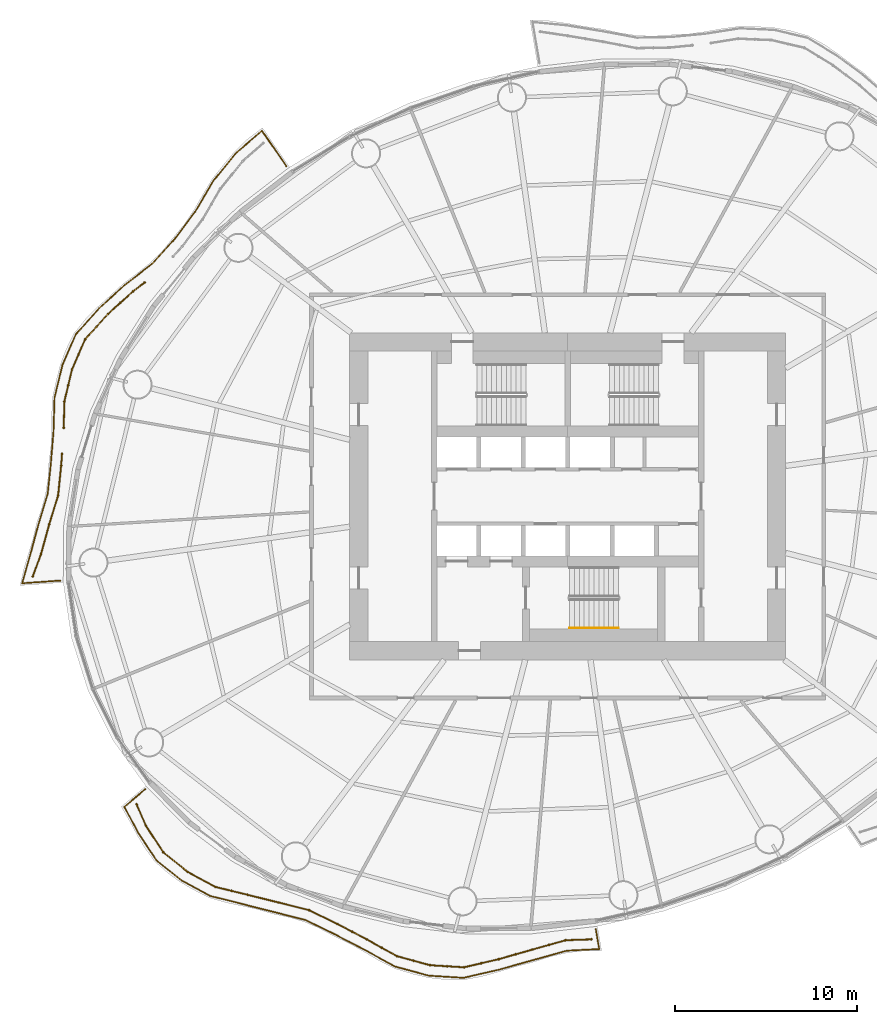
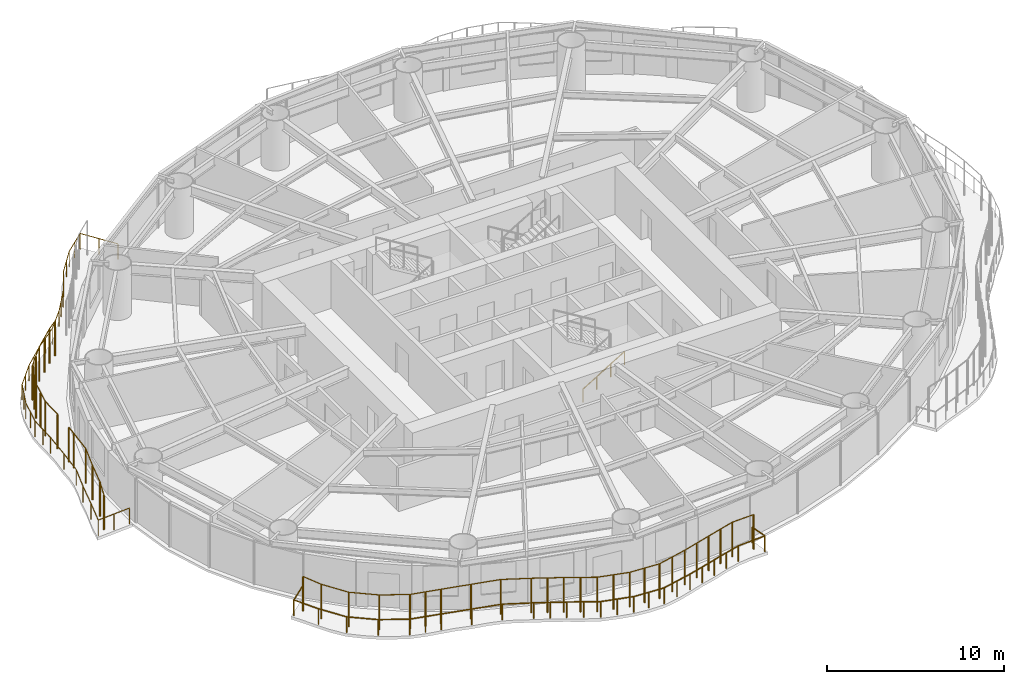
# One storey, part 11 of 15: 6 railings.
"""IFC4 building model written with IfcOpenShell, lengths in metres."""

import ifcopenshell
import ifcopenshell.guid

model = None  # the IFC model being written
_history = None  # IfcOwnerHistory: only IFC2X3 demands one
_inside = {}  # id of a spatial element -> (the spatial element, [elements in it])
_under = {}  # id of a project, library or spatial element -> (it, [spatial elements below it])
_declared = {}  # id of a project -> (the project, [libraries it declares])
_typed = {}  # id of a type object -> (the type object, [elements of that type])
_made_of = {}  # id of a material, layer set ... -> (it, [elements and type objects made of it])


def new_model(schema):
    """Start an empty IFC model of exactly this schema.

    Asked for "IFC4X3", IfcOpenShell would pick the latest addendum, in which some entities
    have other attributes; the version numbers below select the first issue.
    IFC2X3 requires an IfcOwnerHistory on every rooted entity: one is made here for all.
    """
    global model, _history
    if schema == "IFC4X3":
        model = ifcopenshell.file(schema_version=(4, 3, 0, 0))
    else:
        model = ifcopenshell.file(schema=schema)
    _inside.clear()
    _under.clear()
    _declared.clear()
    _typed.clear()
    _made_of.clear()
    _history = None
    if model.schema == "IFC2X3":
        org = make("IfcOrganization", Name="unknown")
        user = make(
            "IfcPersonAndOrganization",
            ThePerson=make("IfcPerson", FamilyName="unknown"),
            TheOrganization=org,
        )
        app = make(
            "IfcApplication",
            ApplicationDeveloper=org,
            Version="unknown",
            ApplicationFullName="unknown",
            ApplicationIdentifier="unknown",
        )
        _history = make(
            "IfcOwnerHistory",
            OwningUser=user,
            OwningApplication=app,
            ChangeAction="ADDED",
            CreationDate=0,
        )
    return model


def make(cls, **values):
    """One entity of the class cls with the attributes given. An attribute that is None is left unset."""
    return model.create_entity(
        cls, **{name: value for name, value in values.items() if value is not None}
    )


def rooted(cls, **values):
    """An entity with a GlobalId (a new one), such as an element, a storey or a relation."""
    return make(cls, GlobalId=ifcopenshell.guid.new(), OwnerHistory=_history, **values)


def si_unit(unit_type, name, prefix=None):
    """IfcSIUnit, for example si_unit("LENGTHUNIT", "METRE", prefix="MILLI")."""
    return make("IfcSIUnit", UnitType=unit_type, Prefix=prefix, Name=name)


def assignment(units):
    """IfcUnitAssignment: the units of a project."""
    return None if units is None else make("IfcUnitAssignment", Units=units)


def point(xyz):
    """IfcCartesianPoint."""
    return None if xyz is None else make("IfcCartesianPoint", Coordinates=xyz)


def direction(xyz):
    """IfcDirection."""
    return None if xyz is None else make("IfcDirection", DirectionRatios=xyz)


def frame(location, z_axis=None, x_axis=None):
    """IfcAxis2Placement3D, a coordinate frame: its origin and axes. An axis left out is left unset."""
    return make(
        "IfcAxis2Placement3D",
        Location=point(location),
        Axis=direction(z_axis),
        RefDirection=direction(x_axis),
    )


def frame_2d(location, x_axis=None):
    """IfcAxis2Placement2D, a coordinate frame in the plane: its origin and x axis."""
    return make(
        "IfcAxis2Placement2D", Location=point(location), RefDirection=direction(x_axis)
    )


def origin():
    """The frame at (0, 0, 0) with its axes left unset."""
    return frame((0.0, 0.0, 0.0))


def origin_2d():
    """The frame at (0, 0) in the plane with its x axis left unset."""
    return frame_2d((0.0, 0.0))


def place(relative_to, where):
    """IfcLocalPlacement: puts the frame where relative to a parent placement (None: the world)."""
    return make(
        "IfcLocalPlacement", PlacementRelTo=relative_to, RelativePlacement=where
    )


def context(
    kind, dimensions, precision=None, world=None, true_north=None, identifier=None
):
    """IfcGeometricRepresentationContext, for example the 3D "Model" context."""
    return make(
        "IfcGeometricRepresentationContext",
        ContextIdentifier=identifier,
        ContextType=kind,
        CoordinateSpaceDimension=dimensions,
        Precision=precision,
        WorldCoordinateSystem=world,
        TrueNorth=true_north,
    )


def subcontext(parent, identifier, kind, view, scale=None):
    """IfcGeometricRepresentationSubContext, for example "Body" below "Model"."""
    return make(
        "IfcGeometricRepresentationSubContext",
        ContextIdentifier=identifier,
        ContextType=kind,
        ParentContext=parent,
        TargetScale=scale,
        TargetView=view,
    )


def project(units=None, contexts=None):
    """IfcProject with its units and contexts."""
    return rooted(
        "IfcProject",
        Name="project",
        RepresentationContexts=contexts,
        UnitsInContext=assignment(units),
    )


def spatial(cls, under=None, at=None, **own):
    """A site, building, storey or space (cls), placed at a placement, below another one or the project."""
    s = rooted(cls, ObjectPlacement=at, **own)
    if under is not None:
        _under.setdefault(under.id(), (under, []))[1].append(s)
    return s


def profile(cls, at=None, kind="AREA", **sizes):
    """A parametric profile (cls). Its sizes go by their IFC names, for example OverallWidth=200.0."""
    return make(cls, ProfileType=kind, Position=at, **sizes)


def circle(**sizes):
    """IfcCircleProfileDef."""
    return profile("IfcCircleProfileDef", **sizes)


def extrude(swept, where, along, depth):
    """IfcExtrudedAreaSolid: the profile swept, set in the frame where, extruded along a direction by depth."""
    return make(
        "IfcExtrudedAreaSolid",
        SweptArea=swept,
        Position=where,
        ExtrudedDirection=direction(along),
        Depth=depth,
    )


def shape(context_of_items, identifier, shape_type, items):
    """IfcShapeRepresentation: the items that make up one representation, for example the "Body"."""
    return make(
        "IfcShapeRepresentation",
        ContextOfItems=context_of_items,
        RepresentationIdentifier=identifier,
        RepresentationType=shape_type,
        Items=items,
    )


def material(Name=None, Category=None):
    """IfcMaterial."""
    return make("IfcMaterial", Name=Name, Category=Category)


def made_of(thing, what):
    """Note that an element or type object is made of a material, layer set ...; save() writes the relation."""
    if what is not None:
        _made_of.setdefault(what.id(), (what, []))[1].append(thing)
    return thing


def type_object(cls, material=None, **own):
    """A type object (cls), such as IfcWallType, which elements share."""
    return made_of(rooted(cls, **own), material)


def element(
    cls,
    number,
    at=None,
    inside=None,
    cuts=None,
    type_object=None,
    material=None,
    context=None,
    identifier="Body",
    shape_type=None,
    held_by="IfcProductDefinitionShape",
    body=None,
    shapes=None,
    **own,
):
    """One element of the class cls, such as IfcWall. Its Tag is "e" and its number.

    at: its placement. inside: the storey or other place that contains it. cuts: it is an
    opening in that element (IfcRelVoidsElement). A single representation is given by context,
    identifier, shape_type and body (its items); several are given by shapes. held_by: the class
    of the entity that holds the representations. save() writes the other relations.
    """
    e = rooted(cls, Tag="e%d" % number, ObjectPlacement=at, **own)
    if body is not None:
        shapes = [shape(context, identifier, shape_type, body)]
    if shapes is not None:
        e.Representation = make(held_by, Representations=shapes)
    if inside is not None:
        _inside.setdefault(inside.id(), (inside, []))[1].append(e)
    if cuts is not None:
        rooted(
            "IfcRelVoidsElement", RelatingBuildingElement=cuts, RelatedOpeningElement=e
        )
    if type_object is not None:
        _typed.setdefault(type_object.id(), (type_object, []))[1].append(e)
    return made_of(e, material)


def aggregate(whole, parts):
    """IfcRelAggregates: a whole, such as a stair, and the parts it consists of."""
    return rooted("IfcRelAggregates", RelatingObject=whole, RelatedObjects=parts)


def save(model, path):
    """Write the relations noted so far, then the file.

    IfcRelAggregates (storeys below a building ...), IfcRelContainedInSpatialStructure (elements
    in a storey), IfcRelDefinesByType, IfcRelAssociatesMaterial and IfcRelDeclares: one each for
    every whole, place, type object, material and project.
    """
    for whole, parts in _under.values():
        aggregate(whole, parts)
    for where, things in _inside.values():
        rooted(
            "IfcRelContainedInSpatialStructure",
            RelatedElements=things,
            RelatingStructure=where,
        )
    for kind, things in _typed.values():
        rooted("IfcRelDefinesByType", RelatedObjects=things, RelatingType=kind)
    for what, things in _made_of.values():
        rooted("IfcRelAssociatesMaterial", RelatedObjects=things, RelatingMaterial=what)
    for by, libraries in _declared.values():
        rooted("IfcRelDeclares", RelatingContext=by, RelatedDefinitions=libraries)
    model.write(path)


model = new_model("IFC4")

# Units and contexts
model_context = context("Model", 3, precision=1e-05, world=origin(), true_north=direction((0.0, 1.0)))
body_context = subcontext(model_context, "Body", "Model", "MODEL_VIEW")
ifc_project = project(units=[si_unit("LENGTHUNIT", "METRE"), si_unit("AREAUNIT", "SQUARE_METRE"), si_unit("VOLUMEUNIT", "CUBIC_METRE"), si_unit("PLANEANGLEUNIT", "RADIAN"), si_unit("MASSUNIT", "GRAM", prefix="KILO")], contexts=[model_context])

# Site, building, storey
site_placement = place(None, origin())
site = spatial("IfcSite", under=ifc_project, at=site_placement, CompositionType="ELEMENT")
building_placement = place(site_placement, origin())
building = spatial("IfcBuilding", under=site, at=building_placement, Name="Vermilion Reach Broadcast Tower", CompositionType="ELEMENT")
storey_placement = place(building_placement, frame((0.0, 0.0, 121.0)))
storey = spatial("IfcBuildingStorey", under=building, at=storey_placement, Name="L28", CompositionType="ELEMENT", Elevation=121.0)

# Railings
ifc_material_1 = material(Name="Terracotta baguette", Category="masonry")
railing_type_1 = type_object("IfcRailingType", Name="BAGUETTE SCREEN", PredefinedType="USERDEFINED", material=ifc_material_1)
railing_1_placement = place(storey_placement, frame((-29.285888671875, 11.774658203125, 0.0)))
element("IfcRailing", 1, at=railing_1_placement, inside=storey, type_object=railing_type_1, Name="Baguette screen L28 group 2 part 2", ObjectType="BAGUETTE SCREEN", PredefinedType="USERDEFINED", context=body_context, shape_type="SweptSolid", body=[
    extrude(circle(Radius=0.030029296875, at=origin_2d()), frame((0.0, 0.0, 2.369873046875), z_axis=(-0.793367209578, -0.608743353776, 0.0), x_axis=(0.608743353776, -0.793367209578, 0.0)), (0.0, 0.0, 1.0), 0.805419921875),
    extrude(circle(Radius=0.030029296875, at=origin_2d()), frame((-0.638916015625, -0.490234375, 2.369873046875), z_axis=(-0.743417982066, -0.668827110651, 0.0), x_axis=(0.668827110651, -0.743417982066, 0.0)), (0.0, 0.0, 1.0), 1.8623046875),
    extrude(circle(Radius=0.030029296875, at=origin_2d()), frame((-2.0234375, -1.73583984375, 2.369873046875), z_axis=(-0.669180405281, -0.743099983305, 0.0), x_axis=(0.743099983305, -0.669180405281, 0.0)), (0.0, 0.0, 1.0), 1.8759765625),
    extrude(circle(Radius=0.030029296875, at=origin_2d()), frame((-3.27880859375, -3.1298828125, 2.369873046875), z_axis=(-0.399868034692, -0.916572722064, 0.0), x_axis=(0.916572722064, -0.399868034692, 0.0)), (0.0, 0.0, 1.0), 1.805419921875),
    extrude(circle(Radius=0.030029296875, at=origin_2d()), frame((-4.000732421875, -4.78466796875, 2.369873046875), z_axis=(-0.23128819077, -0.972885282451, 0.0), x_axis=(0.972885282451, -0.23128819077, 0.0)), (0.0, 0.0, 1.0), 1.82080078125),
    extrude(circle(Radius=0.030029296875, at=origin_2d()), frame((-4.421875, -6.55615234375, 2.369873046875), z_axis=(-0.023754670094, -0.999717818011, 0.0), x_axis=(0.999717818011, -0.023754670094, 0.0)), (0.0, 0.0, 1.0), 1.44921875),
    extrude(circle(Radius=0.050048828125, at=origin_2d()), origin(), (0.0, 0.0, 1.0), 2.33984375),
    extrude(circle(Radius=0.050048828125, at=origin_2d()), frame((-0.638916015625, -0.490234375, 0.0)), (0.0, 0.0, 1.0), 2.33984375),
    extrude(circle(Radius=0.050048828125, at=origin_2d()), frame((-1.3310546875, -1.113037109375, 0.0)), (0.0, 0.0, 1.0), 2.33984375),
    extrude(circle(Radius=0.050048828125, at=origin_2d()), frame((-2.0234375, -1.73583984375, 0.0)), (0.0, 0.0, 1.0), 2.33984375),
    extrude(circle(Radius=0.050048828125, at=origin_2d()), frame((-2.651123046875, -2.432861328125, 0.0)), (0.0, 0.0, 1.0), 2.33984375),
    extrude(circle(Radius=0.050048828125, at=origin_2d()), frame((-3.27880859375, -3.1298828125, 0.0)), (0.0, 0.0, 1.0), 2.33984375),
    extrude(circle(Radius=0.050048828125, at=origin_2d()), frame((-3.6396484375, -3.957275390625, 0.0)), (0.0, 0.0, 1.0), 2.33984375),
    extrude(circle(Radius=0.050048828125, at=origin_2d()), frame((-4.000732421875, -4.78466796875, 0.0)), (0.0, 0.0, 1.0), 2.33984375),
    extrude(circle(Radius=0.050048828125, at=origin_2d()), frame((-4.21142578125, -5.67041015625, 0.0)), (0.0, 0.0, 1.0), 2.33984375),
    extrude(circle(Radius=0.050048828125, at=origin_2d()), frame((-4.421875, -6.55615234375, 0.0)), (0.0, 0.0, 1.0), 2.33984375),
    extrude(circle(Radius=0.050048828125, at=origin_2d()), frame((-4.456298828125, -8.0048828125, 0.0)), (0.0, 0.0, 1.0), 2.33984375),
])
railing_2_placement = place(storey_placement, frame((-33.833984375, 2.33740234375, 0.0)))
element("IfcRailing", 2, at=railing_2_placement, inside=storey, type_object=railing_type_1, Name="Baguette screen L28 group 2 part 3", ObjectType="BAGUETTE SCREEN", PredefinedType="USERDEFINED", context=body_context, shape_type="SweptSolid", body=[
    extrude(circle(Radius=0.030029296875, at=origin_2d()), frame((0.0, 0.0, 2.369873046875), z_axis=(-0.077328002884, -0.99700570709, 0.0), x_axis=(0.99700570709, -0.077328002884, 0.0)), (0.0, 0.0, 1.0), 0.650390625),
    extrude(circle(Radius=0.030029296875, at=origin_2d()), frame((-0.05029296875, -0.6484375, 2.369873046875), z_axis=(-0.101690336096, -0.99481610137, 0.0), x_axis=(0.99481610137, -0.101690336096, 0.0)), (0.0, 0.0, 1.0), 1.64697265625),
    extrude(circle(Radius=0.030029296875, at=origin_2d()), frame((-0.2177734375, -2.286865234375, 2.369873046875), z_axis=(-0.29365549106, -0.955911320453, 0.0), x_axis=(0.955911320453, -0.29365549106, 0.0)), (0.0, 0.0, 1.0), 1.67431640625),
    extrude(circle(Radius=0.030029296875, at=origin_2d()), frame((-0.70947265625, -3.887451171875, 2.369873046875), z_axis=(-0.266101115486, -0.963945121019, 0.0), x_axis=(0.963945121019, -0.266101115486, 0.0)), (0.0, 0.0, 1.0), 1.681640625),
    extrude(circle(Radius=0.030029296875, at=origin_2d()), frame((-1.156982421875, -5.508544921875, 2.369873046875), z_axis=(-0.345252099455, -0.938509982804, 0.0), x_axis=(0.938509982804, -0.345252099455, 0.0)), (0.0, 0.0, 1.0), 1.322998046875),
    extrude(circle(Radius=0.050048828125, at=origin_2d()), origin(), (0.0, 0.0, 1.0), 2.33984375),
    extrude(circle(Radius=0.050048828125, at=origin_2d()), frame((-0.05029296875, -0.6484375, 0.0)), (0.0, 0.0, 1.0), 2.33984375),
    extrude(circle(Radius=0.050048828125, at=origin_2d()), frame((-0.2177734375, -2.286865234375, 0.0)), (0.0, 0.0, 1.0), 2.33984375),
    extrude(circle(Radius=0.050048828125, at=origin_2d()), frame((-0.70947265625, -3.887451171875, 0.0)), (0.0, 0.0, 1.0), 2.33984375),
    extrude(circle(Radius=0.050048828125, at=origin_2d()), frame((-1.156982421875, -5.508544921875, 0.0)), (0.0, 0.0, 1.0), 2.33984375),
    extrude(circle(Radius=0.050048828125, at=origin_2d()), frame((-1.61376953125, -6.750244140625, 0.0)), (0.0, 0.0, 1.0), 2.33984375),
])
railing_3_placement = place(storey_placement, frame((-29.7294921875, -16.95263671875, 0.0)))
element("IfcRailing", 3, at=railing_3_placement, inside=storey, type_object=railing_type_1, Name="Baguette screen L28 group 3", ObjectType="BAGUETTE SCREEN", PredefinedType="USERDEFINED", context=body_context, shape_type="SweptSolid", body=[
    extrude(circle(Radius=0.030029296875, at=origin_2d()), frame((0.0, 0.0, 2.369873046875), z_axis=(0.396188489818, -0.918169200385, 0.0), x_axis=(0.918169200385, 0.396188489818, 0.0)), (0.0, 0.0, 1.0), 1.284912109375),
    extrude(circle(Radius=0.030029296875, at=origin_2d()), frame((0.509033203125, -1.1796875, 2.369873046875), z_axis=(0.547389311111, -0.836878092724, 0.0), x_axis=(0.836878092724, 0.547389311111, 0.0)), (0.0, 0.0, 1.0), 1.739013671875),
    extrude(circle(Radius=0.030029296875, at=origin_2d()), frame((1.4609375, -2.635009765625, 2.369873046875), z_axis=(0.779332659847, -0.626610409502, 0.0), x_axis=(0.626610409502, 0.779332659847, 0.0)), (0.0, 0.0, 1.0), 1.7392578125),
    extrude(circle(Radius=0.030029296875, at=origin_2d()), frame((2.81640625, -3.724853515625, 2.369873046875), z_axis=(0.879806631026, -0.475331770454, 0.0), x_axis=(0.475331770454, 0.879806631026, 0.0)), (0.0, 0.0, 1.0), 1.736572265625),
    extrude(circle(Radius=0.030029296875, at=origin_2d()), frame((4.34423828125, -4.55029296875, 2.369873046875), z_axis=(0.971392128773, -0.237481224852, 0.0), x_axis=(0.237481224852, 0.971392128773, 0.0)), (0.0, 0.0, 1.0), 1.819580078125),
    extrude(circle(Radius=0.030029296875, at=origin_2d()), frame((6.11181640625, -4.982421875, 2.369873046875), z_axis=(0.97047857809, -0.241187332726, 0.0), x_axis=(0.241187332726, 0.97047857809, 0.0)), (0.0, 0.0, 1.0), 1.7470703125),
    extrude(circle(Radius=0.030029296875, at=origin_2d()), frame((7.807373046875, -5.40380859375, 2.369873046875), z_axis=(0.969862113818, -0.243654427786, 0.0), x_axis=(0.243654427786, 0.969862113818, 0.0)), (0.0, 0.0, 1.0), 1.745361328125),
    extrude(circle(Radius=0.030029296875, at=origin_2d()), frame((9.500244140625, -5.8291015625, 2.369873046875), z_axis=(0.898280600025, -0.439422306692, 0.0), x_axis=(0.439422306692, 0.898280600025, 0.0)), (0.0, 0.0, 1.0), 1.7333984375),
    extrude(circle(Radius=0.030029296875, at=origin_2d()), frame((11.057373046875, -6.5908203125, 2.369873046875), z_axis=(0.885092225835, -0.465415676323, 0.0), x_axis=(0.465415676323, 0.885092225835, 0.0)), (0.0, 0.0, 1.0), 1.825439453125),
    extrude(circle(Radius=0.030029296875, at=origin_2d()), frame((12.673095703125, -7.4404296875, 2.369873046875), z_axis=(0.874673648568, -0.484712294564, 0.0), x_axis=(0.484712294564, 0.874673648568, 0.0)), (0.0, 0.0, 1.0), 1.893798828125),
    extrude(circle(Radius=0.030029296875, at=origin_2d()), frame((14.32958984375, -8.3583984375, 2.369873046875), z_axis=(0.964512858519, -0.264035879667, 0.0), x_axis=(0.264035879667, 0.964512858519, 0.0)), (0.0, 0.0, 1.0), 1.88916015625),
    extrude(circle(Radius=0.030029296875, at=origin_2d()), frame((16.151611328125, -8.857177734375, 2.369873046875), z_axis=(0.998080323781, -0.061932764192, 0.0), x_axis=(0.061932764192, 0.998080323781, 0.0)), (0.0, 0.0, 1.0), 1.87646484375),
    extrude(circle(Radius=0.030029296875, at=origin_2d()), frame((18.0244140625, -8.973388671875, 2.369873046875), z_axis=(0.973645257509, 0.22806778056, 0.0), x_axis=(-0.22806778056, 0.973645257509, 0.0)), (0.0, 0.0, 1.0), 1.961181640625),
    extrude(circle(Radius=0.030029296875, at=origin_2d()), frame((19.933837890625, -8.526123046875, 2.369873046875), z_axis=(0.961581371617, 0.274520064403, 0.0), x_axis=(-0.274520064403, 0.961581371617, 0.0)), (0.0, 0.0, 1.0), 1.924560546875),
    extrude(circle(Radius=0.030029296875, at=origin_2d()), frame((21.784423828125, -7.997802734375, 2.369873046875), z_axis=(0.96264780762, 0.270756714568, 0.0), x_axis=(-0.270756714568, 0.96264780762, 0.0)), (0.0, 0.0, 1.0), 1.904296875),
    extrude(circle(Radius=0.030029296875, at=origin_2d()), frame((23.61767578125, -7.482177734375, 2.369873046875), z_axis=(0.99943457797, 0.033623271075, 0.0), x_axis=(-0.033623271075, 0.99943457797, 0.0)), (0.0, 0.0, 1.0), 1.423095703125),
    extrude(circle(Radius=0.050048828125, at=origin_2d()), origin(), (0.0, 0.0, 1.0), 2.33984375),
    extrude(circle(Radius=0.050048828125, at=origin_2d()), frame((0.509033203125, -1.1796875, 0.0)), (0.0, 0.0, 1.0), 2.33984375),
    extrude(circle(Radius=0.050048828125, at=origin_2d()), frame((1.4609375, -2.635009765625, 0.0)), (0.0, 0.0, 1.0), 2.33984375),
    extrude(circle(Radius=0.050048828125, at=origin_2d()), frame((2.81640625, -3.724853515625, 0.0)), (0.0, 0.0, 1.0), 2.33984375),
    extrude(circle(Radius=0.050048828125, at=origin_2d()), frame((4.34423828125, -4.55029296875, 0.0)), (0.0, 0.0, 1.0), 2.33984375),
    extrude(circle(Radius=0.050048828125, at=origin_2d()), frame((5.22802734375, -4.766357421875, 0.0)), (0.0, 0.0, 1.0), 2.33984375),
    extrude(circle(Radius=0.050048828125, at=origin_2d()), frame((6.11181640625, -4.982421875, 0.0)), (0.0, 0.0, 1.0), 2.33984375),
    extrude(circle(Radius=0.050048828125, at=origin_2d()), frame((7.807373046875, -5.40380859375, 0.0)), (0.0, 0.0, 1.0), 2.33984375),
    extrude(circle(Radius=0.050048828125, at=origin_2d()), frame((9.500244140625, -5.8291015625, 0.0)), (0.0, 0.0, 1.0), 2.33984375),
    extrude(circle(Radius=0.050048828125, at=origin_2d()), frame((11.057373046875, -6.5908203125, 0.0)), (0.0, 0.0, 1.0), 2.33984375),
    extrude(circle(Radius=0.050048828125, at=origin_2d()), frame((11.865234375, -7.015625, 0.0)), (0.0, 0.0, 1.0), 2.33984375),
    extrude(circle(Radius=0.050048828125, at=origin_2d()), frame((12.673095703125, -7.4404296875, 0.0)), (0.0, 0.0, 1.0), 2.33984375),
    extrude(circle(Radius=0.050048828125, at=origin_2d()), frame((13.50146484375, -7.8994140625, 0.0)), (0.0, 0.0, 1.0), 2.33984375),
    extrude(circle(Radius=0.050048828125, at=origin_2d()), frame((14.32958984375, -8.3583984375, 0.0)), (0.0, 0.0, 1.0), 2.33984375),
    extrude(circle(Radius=0.050048828125, at=origin_2d()), frame((15.24072265625, -8.60791015625, 0.0)), (0.0, 0.0, 1.0), 2.33984375),
    extrude(circle(Radius=0.050048828125, at=origin_2d()), frame((16.151611328125, -8.857177734375, 0.0)), (0.0, 0.0, 1.0), 2.33984375),
    extrude(circle(Radius=0.050048828125, at=origin_2d()), frame((17.087890625, -8.915283203125, 0.0)), (0.0, 0.0, 1.0), 2.33984375),
    extrude(circle(Radius=0.050048828125, at=origin_2d()), frame((18.0244140625, -8.973388671875, 0.0)), (0.0, 0.0, 1.0), 2.33984375),
    extrude(circle(Radius=0.050048828125, at=origin_2d()), frame((18.97900390625, -8.749755859375, 0.0)), (0.0, 0.0, 1.0), 2.33984375),
    extrude(circle(Radius=0.050048828125, at=origin_2d()), frame((19.933837890625, -8.526123046875, 0.0)), (0.0, 0.0, 1.0), 2.33984375),
    extrude(circle(Radius=0.050048828125, at=origin_2d()), frame((20.859130859375, -8.261962890625, 0.0)), (0.0, 0.0, 1.0), 2.33984375),
    extrude(circle(Radius=0.050048828125, at=origin_2d()), frame((21.784423828125, -7.997802734375, 0.0)), (0.0, 0.0, 1.0), 2.33984375),
    extrude(circle(Radius=0.050048828125, at=origin_2d()), frame((22.701171875, -7.739990234375, 0.0)), (0.0, 0.0, 1.0), 2.33984375),
    extrude(circle(Radius=0.050048828125, at=origin_2d()), frame((23.61767578125, -7.482177734375, 0.0)), (0.0, 0.0, 1.0), 2.33984375),
    extrude(circle(Radius=0.050048828125, at=origin_2d()), frame((25.0400390625, -7.434326171875, 0.0)), (0.0, 0.0, 1.0), 2.33984375),
])
ifc_material_2 = material(Name="Stainless steel 316 balustrade", Category="steel")
railing_type_2 = type_object("IfcRailingType", Name="Balcony guard 1100", PredefinedType="BALUSTRADE", material=ifc_material_2)
railing_4_placement = place(storey_placement, frame((-21.489013671875, 18.17431640625, 0.0)))
element("IfcRailing", 4, at=railing_4_placement, inside=storey, type_object=railing_type_2, Name="Balcony guard L28 group 2", PredefinedType="BALUSTRADE", context=body_context, shape_type="SweptSolid", body=[
    extrude(circle(Radius=0.02490234375, at=origin_2d()), frame((0.0, 0.0, 1.0751953125), z_axis=(-0.566121601142, 0.824321741021, 0.0), x_axis=(-0.824321741021, -0.566121601142, 0.0)), (0.0, 0.0, 1.0), 2.36669921875),
    extrude(circle(Radius=0.02490234375, at=origin_2d()), frame((-1.33984375, 1.950927734375, 1.0751953125), z_axis=(-0.759396179784, -0.650628497784, 0.0), x_axis=(0.650628497784, -0.759396179784, 0.0)), (0.0, 0.0, 1.0), 1.851806640625),
    extrude(circle(Radius=0.02490234375, at=origin_2d()), frame((-2.74609375, 0.74609375, 1.0751953125), z_axis=(-0.633524459377, -0.773722663085, 0.0), x_axis=(0.773722663085, -0.633524459377, 0.0)), (0.0, 0.0, 1.0), 1.993896484375),
    extrude(circle(Radius=0.02490234375, at=origin_2d()), frame((-4.00927734375, -0.796630859375, 1.0751953125), z_axis=(-0.508148861978, -0.86126925759, 0.0), x_axis=(0.86126925759, -0.508148861978, 0.0)), (0.0, 0.0, 1.0), 1.984375),
    extrude(circle(Radius=0.02490234375, at=origin_2d()), frame((-5.017578125, -2.505615234375, 1.0751953125), z_axis=(-0.600268242573, -0.799798747785, 0.0), x_axis=(0.799798747785, -0.600268242573, 0.0)), (0.0, 0.0, 1.0), 1.892822265625),
    extrude(circle(Radius=0.02490234375, at=origin_2d()), frame((-6.15380859375, -4.01953125, 1.0751953125), z_axis=(-0.67356588631, -0.739127185807, 0.0), x_axis=(0.739127185807, -0.67356588631, 0.0)), (0.0, 0.0, 1.0), 1.8359375),
    extrude(circle(Radius=0.02490234375, at=origin_2d()), frame((-7.390380859375, -5.37646484375, 1.0751953125), z_axis=(-0.790461273376, -0.612512020529, 0.0), x_axis=(0.612512020529, -0.790461273376, 0.0)), (0.0, 0.0, 1.0), 1.91796875),
    extrude(circle(Radius=0.02490234375, at=origin_2d()), frame((-8.906494140625, -6.55126953125, 1.0751953125), z_axis=(-0.740388306963, -0.67217940679, 0.0), x_axis=(0.67217940679, -0.740388306963, 0.0)), (0.0, 0.0, 1.0), 1.89697265625),
    extrude(circle(Radius=0.02490234375, at=origin_2d()), frame((-10.31103515625, -7.826416015625, 1.0751953125), z_axis=(-0.666287184666, -0.745695237715, 0.0), x_axis=(0.745695237715, -0.666287184666, 0.0)), (0.0, 0.0, 1.0), 1.912353515625),
    extrude(circle(Radius=0.02490234375, at=origin_2d()), frame((-11.585205078125, -9.25244140625, 1.0751953125), z_axis=(-0.400943944707, -0.916102588798, 0.0), x_axis=(0.916102588798, -0.400943944707, 0.0)), (0.0, 0.0, 1.0), 1.842529296875),
    extrude(circle(Radius=0.02490234375, at=origin_2d()), frame((-12.323974609375, -10.9404296875, 1.0751953125), z_axis=(-0.234619142747, -0.972087371514, 0.0), x_axis=(0.972087371514, -0.234619142747, 0.0)), (0.0, 0.0, 1.0), 1.859619140625),
    extrude(circle(Radius=0.02490234375, at=origin_2d()), frame((-12.76025390625, -12.748046875, 1.0751953125), z_axis=(-0.030285122758, -0.999541300467, 0.0), x_axis=(0.999541300467, -0.030285122758, 0.0)), (0.0, 0.0, 1.0), 1.845947265625),
    extrude(circle(Radius=0.02490234375, at=origin_2d()), frame((-12.816162109375, -14.59326171875, 1.0751953125), z_axis=(-0.081513256442, -0.996672257577, 0.0), x_axis=(0.996672257577, -0.081513256442, 0.0)), (0.0, 0.0, 1.0), 1.76708984375),
    extrude(circle(Radius=0.02490234375, at=origin_2d()), frame((-12.960205078125, -16.3544921875, 1.0751953125), z_axis=(-0.103841556779, -0.994593852327, 0.0), x_axis=(0.994593852327, -0.103841556779, 0.0)), (0.0, 0.0, 1.0), 1.68798828125),
    extrude(circle(Radius=0.02490234375, at=origin_2d()), frame((-13.135498046875, -18.033447265625, 1.0751953125), z_axis=(-0.289525852811, -0.957170194142, 0.0), x_axis=(0.957170194142, -0.289525852811, 0.0)), (0.0, 0.0, 1.0), 1.716796875),
    extrude(circle(Radius=0.02490234375, at=origin_2d()), frame((-13.632568359375, -19.6767578125, 1.0751953125), z_axis=(-0.260587970839, -0.96545010718, 0.0), x_axis=(0.96545010718, -0.260587970839, 0.0)), (0.0, 0.0, 1.0), 1.723876953125),
    extrude(circle(Radius=0.02490234375, at=origin_2d()), frame((-14.081787109375, -21.341064453125, 1.0751953125), z_axis=(-0.272609298225, -0.962124820655, 0.0), x_axis=(0.962124820655, -0.272609298225, 0.0)), (0.0, 0.0, 1.0), 1.68017578125),
    extrude(circle(Radius=0.02490234375, at=origin_2d()), frame((-14.539794921875, -22.95751953125, 1.0751953125), z_axis=(0.997556231244, 0.069868200961, 0.0), x_axis=(-0.069868200961, 0.997556231244, 0.0)), (0.0, 0.0, 1.0), 2.114013671875),
    extrude(circle(Radius=0.02490234375, at=origin_2d()), origin(), (0.0, 0.0, 1.0), 1.050048828125),
    extrude(circle(Radius=0.02490234375, at=origin_2d()), frame((-0.669921875, 0.9755859375, 0.0)), (0.0, 0.0, 1.0), 1.050048828125),
    extrude(circle(Radius=0.02490234375, at=origin_2d()), frame((-1.33984375, 1.950927734375, 0.0)), (0.0, 0.0, 1.0), 1.050048828125),
    extrude(circle(Radius=0.02490234375, at=origin_2d()), frame((-2.04296875, 1.3486328125, 0.0)), (0.0, 0.0, 1.0), 1.050048828125),
    extrude(circle(Radius=0.02490234375, at=origin_2d()), frame((-2.74609375, 0.74609375, 0.0)), (0.0, 0.0, 1.0), 1.050048828125),
    extrude(circle(Radius=0.02490234375, at=origin_2d()), frame((-3.377685546875, -0.025390625, 0.0)), (0.0, 0.0, 1.0), 1.050048828125),
    extrude(circle(Radius=0.02490234375, at=origin_2d()), frame((-4.00927734375, -0.796630859375, 0.0)), (0.0, 0.0, 1.0), 1.050048828125),
    extrude(circle(Radius=0.02490234375, at=origin_2d()), frame((-4.513427734375, -1.651123046875, 0.0)), (0.0, 0.0, 1.0), 1.050048828125),
    extrude(circle(Radius=0.02490234375, at=origin_2d()), frame((-5.017578125, -2.505615234375, 0.0)), (0.0, 0.0, 1.0), 1.050048828125),
    extrude(circle(Radius=0.02490234375, at=origin_2d()), frame((-5.585693359375, -3.2626953125, 0.0)), (0.0, 0.0, 1.0), 1.050048828125),
    extrude(circle(Radius=0.02490234375, at=origin_2d()), frame((-6.15380859375, -4.01953125, 0.0)), (0.0, 0.0, 1.0), 1.050048828125),
    extrude(circle(Radius=0.02490234375, at=origin_2d()), frame((-6.77197265625, -4.697998046875, 0.0)), (0.0, 0.0, 1.0), 1.050048828125),
    extrude(circle(Radius=0.02490234375, at=origin_2d()), frame((-7.390380859375, -5.37646484375, 0.0)), (0.0, 0.0, 1.0), 1.050048828125),
    extrude(circle(Radius=0.02490234375, at=origin_2d()), frame((-8.1484375, -5.9638671875, 0.0)), (0.0, 0.0, 1.0), 1.050048828125),
    extrude(circle(Radius=0.02490234375, at=origin_2d()), frame((-8.906494140625, -6.55126953125, 0.0)), (0.0, 0.0, 1.0), 1.050048828125),
    extrude(circle(Radius=0.02490234375, at=origin_2d()), frame((-9.60888671875, -7.18896484375, 0.0)), (0.0, 0.0, 1.0), 1.050048828125),
    extrude(circle(Radius=0.02490234375, at=origin_2d()), frame((-10.31103515625, -7.826416015625, 0.0)), (0.0, 0.0, 1.0), 1.050048828125),
    extrude(circle(Radius=0.02490234375, at=origin_2d()), frame((-10.9482421875, -8.53955078125, 0.0)), (0.0, 0.0, 1.0), 1.050048828125),
    extrude(circle(Radius=0.02490234375, at=origin_2d()), frame((-11.585205078125, -9.25244140625, 0.0)), (0.0, 0.0, 1.0), 1.050048828125),
    extrude(circle(Radius=0.02490234375, at=origin_2d()), frame((-11.95458984375, -10.096435546875, 0.0)), (0.0, 0.0, 1.0), 1.050048828125),
    extrude(circle(Radius=0.02490234375, at=origin_2d()), frame((-12.323974609375, -10.9404296875, 0.0)), (0.0, 0.0, 1.0), 1.050048828125),
    extrude(circle(Radius=0.02490234375, at=origin_2d()), frame((-12.5419921875, -11.84423828125, 0.0)), (0.0, 0.0, 1.0), 1.050048828125),
    extrude(circle(Radius=0.02490234375, at=origin_2d()), frame((-12.76025390625, -12.748046875, 0.0)), (0.0, 0.0, 1.0), 1.050048828125),
    extrude(circle(Radius=0.02490234375, at=origin_2d()), frame((-12.7880859375, -13.670654296875, 0.0)), (0.0, 0.0, 1.0), 1.050048828125),
    extrude(circle(Radius=0.02490234375, at=origin_2d()), frame((-12.816162109375, -14.59326171875, 0.0)), (0.0, 0.0, 1.0), 1.050048828125),
    extrude(circle(Radius=0.02490234375, at=origin_2d()), frame((-12.960205078125, -16.3544921875, 0.0)), (0.0, 0.0, 1.0), 1.050048828125),
    extrude(circle(Radius=0.02490234375, at=origin_2d()), frame((-13.135498046875, -18.033447265625, 0.0)), (0.0, 0.0, 1.0), 1.050048828125),
    extrude(circle(Radius=0.02490234375, at=origin_2d()), frame((-13.632568359375, -19.6767578125, 0.0)), (0.0, 0.0, 1.0), 1.050048828125),
    extrude(circle(Radius=0.02490234375, at=origin_2d()), frame((-14.081787109375, -21.341064453125, 0.0)), (0.0, 0.0, 1.0), 1.050048828125),
    extrude(circle(Radius=0.02490234375, at=origin_2d()), frame((-14.539794921875, -22.95751953125, 0.0)), (0.0, 0.0, 1.0), 1.050048828125),
    extrude(circle(Radius=0.02490234375, at=origin_2d()), frame((-13.4853515625, -22.8837890625, 0.0)), (0.0, 0.0, 1.0), 1.050048828125),
    extrude(circle(Radius=0.02490234375, at=origin_2d()), frame((-12.430908203125, -22.809814453125, 0.0)), (0.0, 0.0, 1.0), 1.050048828125),
])
railing_5_placement = place(storey_placement, frame((-29.259033203125, -16.125244140625, 0.0)))
element("IfcRailing", 5, at=railing_5_placement, inside=storey, type_object=railing_type_2, Name="Balcony guard L28 group 3", PredefinedType="BALUSTRADE", context=body_context, shape_type="SweptSolid", body=[
    extrude(circle(Radius=0.02490234375, at=origin_2d()), frame((0.0, 0.0, 1.0751953125), z_axis=(-0.764361734551, -0.644787669512, 0.0), x_axis=(0.644787669512, -0.764361734551, 0.0)), (0.0, 0.0, 1.0), 1.49853515625),
    extrude(circle(Radius=0.02490234375, at=origin_2d()), frame((-1.1455078125, -0.96630859375, 1.0751953125), z_axis=(0.470047366497, -0.88264119168, 0.0), x_axis=(0.88264119168, 0.470047366497, 0.0)), (0.0, 0.0, 1.0), 1.64013671875),
    extrude(circle(Radius=0.02490234375, at=origin_2d()), frame((-0.37451171875, -2.4140625, 1.0751953125), z_axis=(0.552103781572, -0.833775398039, 0.0), x_axis=(0.833775398039, 0.552103781572, 0.0)), (0.0, 0.0, 1.0), 1.78125),
    extrude(circle(Radius=0.02490234375, at=origin_2d()), frame((0.60888671875, -3.899169921875, 1.0751953125), z_axis=(0.779275981376, -0.626680895552, 0.0), x_axis=(0.626680895552, 0.779275981376, 0.0)), (0.0, 0.0, 1.0), 1.7822265625),
    extrude(circle(Radius=0.02490234375, at=origin_2d()), frame((1.997802734375, -5.01611328125, 1.0751953125), z_axis=(0.87854558259, -0.477658517469, 0.0), x_axis=(0.477658517469, 0.87854558259, 0.0)), (0.0, 0.0, 1.0), 1.777587890625),
    extrude(circle(Radius=0.02490234375, at=origin_2d()), frame((3.5595703125, -5.865234375, 1.0751953125), z_axis=(0.969840474994, -0.243740544562, 0.0), x_axis=(0.243740544562, 0.969840474994, 0.0)), (0.0, 0.0, 1.0), 1.859130859375),
    extrude(circle(Radius=0.02490234375, at=origin_2d()), frame((5.362548828125, -6.318359375, 1.0751953125), z_axis=(0.969275800938, -0.245976465776, 0.0), x_axis=(0.245976465776, 0.969275800938, 0.0)), (0.0, 0.0, 1.0), 1.78564453125),
    extrude(circle(Radius=0.02490234375, at=origin_2d()), frame((7.09326171875, -6.757568359375, 1.0751953125), z_axis=(0.96901325083, -0.24700874421, 0.0), x_axis=(0.24700874421, 0.96901325083, 0.0)), (0.0, 0.0, 1.0), 1.783935546875),
    extrude(circle(Radius=0.02490234375, at=origin_2d()), frame((8.822021484375, -7.1982421875, 1.0751953125), z_axis=(0.899470995462, -0.436980466751, 0.0), x_axis=(0.436980466751, 0.899470995462, 0.0)), (0.0, 0.0, 1.0), 1.7705078125),
    extrude(circle(Radius=0.02490234375, at=origin_2d()), frame((10.41455078125, -7.971923828125, 1.0751953125), z_axis=(0.887044992154, -0.461682988526, 0.0), x_axis=(0.461682988526, 0.887044992154, 0.0)), (0.0, 0.0, 1.0), 1.86181640625),
    extrude(circle(Radius=0.02490234375, at=origin_2d()), frame((12.066162109375, -8.83154296875, 1.0751953125), z_axis=(0.877275322541, -0.479987508651, 0.0), x_axis=(0.479987508651, 0.877275322541, 0.0)), (0.0, 0.0, 1.0), 1.927734375),
    extrude(circle(Radius=0.02490234375, at=origin_2d()), frame((13.75732421875, -9.7568359375, 1.0751953125), z_axis=(0.96509685329, -0.261893229712, 0.0), x_axis=(0.261893229712, 0.96509685329, 0.0)), (0.0, 0.0, 1.0), 1.924072265625),
    extrude(circle(Radius=0.02490234375, at=origin_2d()), frame((15.6142578125, -10.2607421875, 1.0751953125), z_axis=(0.998061518675, -0.062235078053, 0.0), x_axis=(0.062235078053, 0.998061518675, 0.0)), (0.0, 0.0, 1.0), 1.910400390625),
    extrude(circle(Radius=0.02490234375, at=origin_2d()), frame((17.52099609375, -10.379638671875, 1.0751953125), z_axis=(0.974623887561, 0.223848783322, 0.0), x_axis=(-0.223848783322, 0.974623887561, 0.0)), (0.0, 0.0, 1.0), 1.99365234375),
    extrude(circle(Radius=0.02490234375, at=origin_2d()), frame((19.464111328125, -9.933349609375, 1.0751953125), z_axis=(0.962734247464, 0.270449198114, 0.0), x_axis=(-0.270449198114, 0.962734247464, 0.0)), (0.0, 0.0, 1.0), 1.956298828125),
    extrude(circle(Radius=0.02490234375, at=origin_2d()), frame((21.347412109375, -9.404296875, 1.0751953125), z_axis=(0.96348720066, 0.267754391496, 0.0), x_axis=(-0.267754391496, 0.96348720066, 0.0)), (0.0, 0.0, 1.0), 1.936767578125),
    extrude(circle(Radius=0.02490234375, at=origin_2d()), frame((23.21337890625, -8.8857421875, 1.0751953125), z_axis=(0.998731090378, 0.05036078943, 0.0), x_axis=(-0.05036078943, 0.998731090378, 0.0)), (0.0, 0.0, 1.0), 1.783935546875),
    extrude(circle(Radius=0.02490234375, at=origin_2d()), frame((24.9951171875, -8.7958984375, 1.0751953125), z_axis=(-0.168113698647, 0.985767611726, 0.0), x_axis=(-0.985767611726, -0.168113698647, 0.0)), (0.0, 0.0, 1.0), 1.108154296875),
    extrude(circle(Radius=0.02490234375, at=origin_2d()), origin(), (0.0, 0.0, 1.0), 1.050048828125),
    extrude(circle(Radius=0.02490234375, at=origin_2d()), frame((-1.1455078125, -0.96630859375, 0.0)), (0.0, 0.0, 1.0), 1.050048828125),
    extrude(circle(Radius=0.02490234375, at=origin_2d()), frame((-0.37451171875, -2.4140625, 0.0)), (0.0, 0.0, 1.0), 1.050048828125),
    extrude(circle(Radius=0.02490234375, at=origin_2d()), frame((0.60888671875, -3.899169921875, 0.0)), (0.0, 0.0, 1.0), 1.050048828125),
    extrude(circle(Radius=0.02490234375, at=origin_2d()), frame((1.997802734375, -5.01611328125, 0.0)), (0.0, 0.0, 1.0), 1.050048828125),
    extrude(circle(Radius=0.02490234375, at=origin_2d()), frame((3.5595703125, -5.865234375, 0.0)), (0.0, 0.0, 1.0), 1.050048828125),
    extrude(circle(Radius=0.02490234375, at=origin_2d()), frame((4.4609375, -6.091796875, 0.0)), (0.0, 0.0, 1.0), 1.050048828125),
    extrude(circle(Radius=0.02490234375, at=origin_2d()), frame((5.362548828125, -6.318359375, 0.0)), (0.0, 0.0, 1.0), 1.050048828125),
    extrude(circle(Radius=0.02490234375, at=origin_2d()), frame((7.09326171875, -6.757568359375, 0.0)), (0.0, 0.0, 1.0), 1.050048828125),
    extrude(circle(Radius=0.02490234375, at=origin_2d()), frame((8.822021484375, -7.1982421875, 0.0)), (0.0, 0.0, 1.0), 1.050048828125),
    extrude(circle(Radius=0.02490234375, at=origin_2d()), frame((10.41455078125, -7.971923828125, 0.0)), (0.0, 0.0, 1.0), 1.050048828125),
    extrude(circle(Radius=0.02490234375, at=origin_2d()), frame((11.240234375, -8.40185546875, 0.0)), (0.0, 0.0, 1.0), 1.050048828125),
    extrude(circle(Radius=0.02490234375, at=origin_2d()), frame((12.066162109375, -8.83154296875, 0.0)), (0.0, 0.0, 1.0), 1.050048828125),
    extrude(circle(Radius=0.02490234375, at=origin_2d()), frame((12.91162109375, -9.294189453125, 0.0)), (0.0, 0.0, 1.0), 1.050048828125),
    extrude(circle(Radius=0.02490234375, at=origin_2d()), frame((13.75732421875, -9.7568359375, 0.0)), (0.0, 0.0, 1.0), 1.050048828125),
    extrude(circle(Radius=0.02490234375, at=origin_2d()), frame((14.685791015625, -10.0087890625, 0.0)), (0.0, 0.0, 1.0), 1.050048828125),
    extrude(circle(Radius=0.02490234375, at=origin_2d()), frame((15.6142578125, -10.2607421875, 0.0)), (0.0, 0.0, 1.0), 1.050048828125),
    extrude(circle(Radius=0.02490234375, at=origin_2d()), frame((16.567626953125, -10.3203125, 0.0)), (0.0, 0.0, 1.0), 1.050048828125),
    extrude(circle(Radius=0.02490234375, at=origin_2d()), frame((17.52099609375, -10.379638671875, 0.0)), (0.0, 0.0, 1.0), 1.050048828125),
    extrude(circle(Radius=0.02490234375, at=origin_2d()), frame((18.49267578125, -10.156494140625, 0.0)), (0.0, 0.0, 1.0), 1.050048828125),
    extrude(circle(Radius=0.02490234375, at=origin_2d()), frame((19.464111328125, -9.933349609375, 0.0)), (0.0, 0.0, 1.0), 1.050048828125),
    extrude(circle(Radius=0.02490234375, at=origin_2d()), frame((20.40576171875, -9.6689453125, 0.0)), (0.0, 0.0, 1.0), 1.050048828125),
    extrude(circle(Radius=0.02490234375, at=origin_2d()), frame((21.347412109375, -9.404296875, 0.0)), (0.0, 0.0, 1.0), 1.050048828125),
    extrude(circle(Radius=0.02490234375, at=origin_2d()), frame((22.2802734375, -9.14501953125, 0.0)), (0.0, 0.0, 1.0), 1.050048828125),
    extrude(circle(Radius=0.02490234375, at=origin_2d()), frame((23.21337890625, -8.8857421875, 0.0)), (0.0, 0.0, 1.0), 1.050048828125),
    extrude(circle(Radius=0.02490234375, at=origin_2d()), frame((24.9951171875, -8.7958984375, 0.0)), (0.0, 0.0, 1.0), 1.050048828125),
    extrude(circle(Radius=0.02490234375, at=origin_2d()), frame((24.808837890625, -7.70361328125, 0.0)), (0.0, 0.0, 1.0), 1.050048828125),
])
ifc_material_3 = material(Name="Stainless steel", Category="steel")
railing_type_3 = type_object("IfcRailingType", Name="Stair handrail", PredefinedType="HANDRAIL", material=ifc_material_3)
railing_6_placement = place(storey_placement, frame((-5.89990234375, -7.25, 0.16357421875)))
element("IfcRailing", 6, at=railing_6_placement, inside=storey, type_object=railing_type_3, Name="L28 ST3 stair handrail 1", PredefinedType="HANDRAIL", context=body_context, shape_type="SweptSolid", body=[
    extrude(circle(Radius=0.02392578125, at=origin_2d()), frame((0.0, 0.0, 0.8759765625), z_axis=(0.855178096276, 0.0, 0.518334277904), x_axis=(0.0, 1.0, 0.0)), (0.0, 0.0, 1.0), 3.1572265625),
    extrude(circle(Radius=0.02099609375, at=origin_2d()), origin(), (0.0, 0.0, 1.0), 0.851806640625),
    extrude(circle(Radius=0.02099609375, at=origin_2d()), frame((0.89990234375, 0.0, 0.54541015625)), (0.0, 0.0, 1.0), 0.851806640625),
    extrude(circle(Radius=0.02099609375, at=origin_2d()), frame((1.800048828125, 0.0, 1.091064453125)), (0.0, 0.0, 1.0), 0.851806640625),
    extrude(circle(Radius=0.02099609375, at=origin_2d()), frame((2.699951171875, 0.0, 1.636474609375)), (0.0, 0.0, 1.0), 0.851806640625),
])

save(model, "model.ifc")
